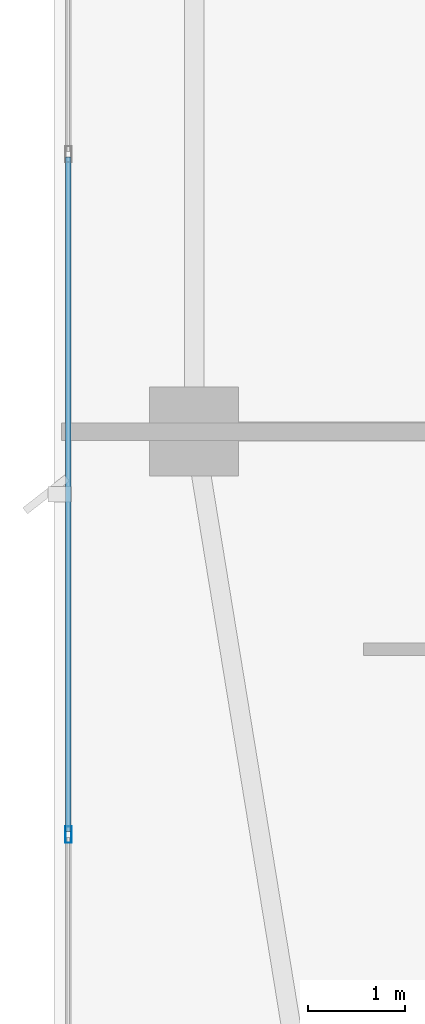
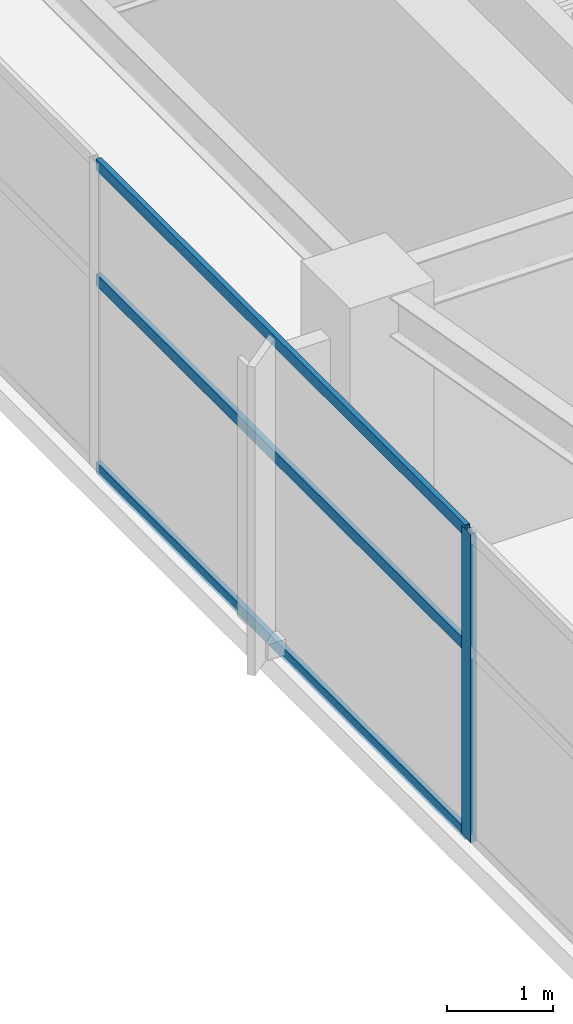
# One storey, part 5 of 27: 4 members, 1 element without a shape of its own.
"""IFC4 building model written with IfcOpenShell, lengths in metres."""

from ifc_helpers import new_model, si_unit, direction, frame, origin, origin_2d, place, context, subcontext, project, spatial, hollow_rectangle, extrude, material, layer, layer_set, material_profile, profile_set, type_object, element, aggregate, save


model = new_model("IFC4")

# Units and contexts
model_context = context("Model", 3, precision=1e-05, world=origin(), true_north=direction((0.0, 1.0)))
body_context = subcontext(model_context, "Body", "Model", "MODEL_VIEW")
ifc_project = project(units=[si_unit("LENGTHUNIT", "METRE"), si_unit("AREAUNIT", "SQUARE_METRE"), si_unit("VOLUMEUNIT", "CUBIC_METRE"), si_unit("PLANEANGLEUNIT", "RADIAN"), si_unit("MASSUNIT", "GRAM", prefix="KILO")], contexts=[model_context])

# Site, building, storey
site_placement = place(None, origin())
site = spatial("IfcSite", under=ifc_project, at=site_placement, CompositionType="ELEMENT")
building_placement = place(site_placement, origin())
building = spatial("IfcBuilding", under=site, at=building_placement, Name="Calvorn Quay Hotel", CompositionType="ELEMENT")
storey_placement = place(building_placement, frame((0.0, 0.0, 291.10009765625)))
storey = spatial("IfcBuildingStorey", under=building, at=storey_placement, Name="L72", CompositionType="ELEMENT", Elevation=291.10009765625)

# Curtain wall, members
ifc_material_1 = material(Name="Champagne Bronze Anodised Aluminium and Low-E Glass", Category="aluminium")
ifc_layer = layer(ifc_material_1, 0.219970703125)
ifc_layer_set = layer_set([ifc_layer], Name="CW-SYS-Z4")
curtain_wall_type = type_object("IfcCurtainWallType", Name="CW-SYS-Z4", PredefinedType="NOTDEFINED", material=ifc_layer_set)
curtain_wall_placement = place(storey_placement, origin())
curtain_wall = element("IfcCurtainWall", 1, at=curtain_wall_placement, inside=storey, type_object=curtain_wall_type, Name="Tower West Curtain Wall (L72)", PredefinedType="NOTDEFINED")
ifc_material_2 = material(Name="Champagne Bronze Anodised Aluminium 6063-T6", Category="aluminium")
ifc_material_profile_1 = material_profile(ifc_material_2, hollow_rectangle(XDim=0.06494140625, YDim=0.169921875, WallThickness=0.00341796875, at=origin_2d()), Name="ALU-M170x65x3.5")
ifc_profile_set_1 = profile_set([ifc_material_profile_1], Name="Champagne Bronze Anodised Aluminium 6063-T6")
member_type_1 = type_object("IfcMemberType", Name="CW-SYS-Z4-MUL", PredefinedType="MULLION", material=ifc_profile_set_1)
member_1_placement = place(storey_placement, frame((0.14990234375, 12.63330078125, 0.0), z_axis=(0.0, 0.0, 1.0), x_axis=(-1.0, 0.0, 0.0)))
member_1 = element("IfcMember", 2, at=member_1_placement, type_object=member_type_1, Name="CW-L72-W mullion 2", PredefinedType="MULLION", context=body_context, shape_type="SweptSolid", body=[
    extrude(hollow_rectangle(XDim=0.06494140625, YDim=0.169921875, WallThickness=0.00341796875, at=origin_2d()), origin(), (0.0, 0.0, 1.0), 3.559814453125),
])
ifc_material_3 = material(Name="Champagne Bronze Anodised Aluminium 6063-T6", Category="aluminium")
ifc_material_profile_2 = material_profile(ifc_material_3, hollow_rectangle(XDim=0.054931640625, YDim=0.1298828125, WallThickness=0.003173828125, at=origin_2d()), Name="ALU-T130x55x3.2")
ifc_profile_set_2 = profile_set([ifc_material_profile_2], Name="Champagne Bronze Anodised Aluminium 6063-T6")
member_type_2 = type_object("IfcMemberType", Name="CW-SYS-Z4-TRN", PredefinedType="USERDEFINED", material=ifc_profile_set_2)
member_2_placement = place(storey_placement, frame((0.14990234375, 12.663330078125, 0.02978515625), z_axis=(0.0, 1.0, 0.0), x_axis=(-1.0, 0.0, 0.0)))
member_2 = element("IfcMember", 3, at=member_2_placement, type_object=member_type_2, Name="CW-L72-W transom 2.1", ObjectType="TRANSOM", PredefinedType="USERDEFINED", context=body_context, shape_type="SweptSolid", body=[
    extrude(hollow_rectangle(XDim=0.054931640625, YDim=0.1298828125, WallThickness=0.003173828125, at=origin_2d()), origin(), (0.0, 0.0, 1.0), 6.973388671875),
])
member_3_placement = place(storey_placement, frame((0.14990234375, 12.663330078125, 2.199951171875), z_axis=(0.0, 1.0, 0.0), x_axis=(-1.0, 0.0, 0.0)))
member_3 = element("IfcMember", 4, at=member_3_placement, type_object=member_type_2, Name="CW-L72-W transom 2.2", ObjectType="TRANSOM", PredefinedType="USERDEFINED", context=body_context, shape_type="SweptSolid", body=[
    extrude(hollow_rectangle(XDim=0.054931640625, YDim=0.1298828125, WallThickness=0.003173828125, at=origin_2d()), origin(), (0.0, 0.0, 1.0), 6.973388671875),
])
member_4_placement = place(storey_placement, frame((0.14990234375, 12.663330078125, 3.52978515625), z_axis=(0.0, 1.0, 0.0), x_axis=(-1.0, 0.0, 0.0)))
member_4 = element("IfcMember", 5, at=member_4_placement, type_object=member_type_2, Name="CW-L72-W transom 2.3", ObjectType="TRANSOM", PredefinedType="USERDEFINED", context=body_context, shape_type="SweptSolid", body=[
    extrude(hollow_rectangle(XDim=0.054931640625, YDim=0.1298828125, WallThickness=0.003173828125, at=origin_2d()), origin(), (0.0, 0.0, 1.0), 6.973388671875),
])
aggregate(curtain_wall, [member_1, member_2, member_3, member_4])

save(model, "model.ifc")
